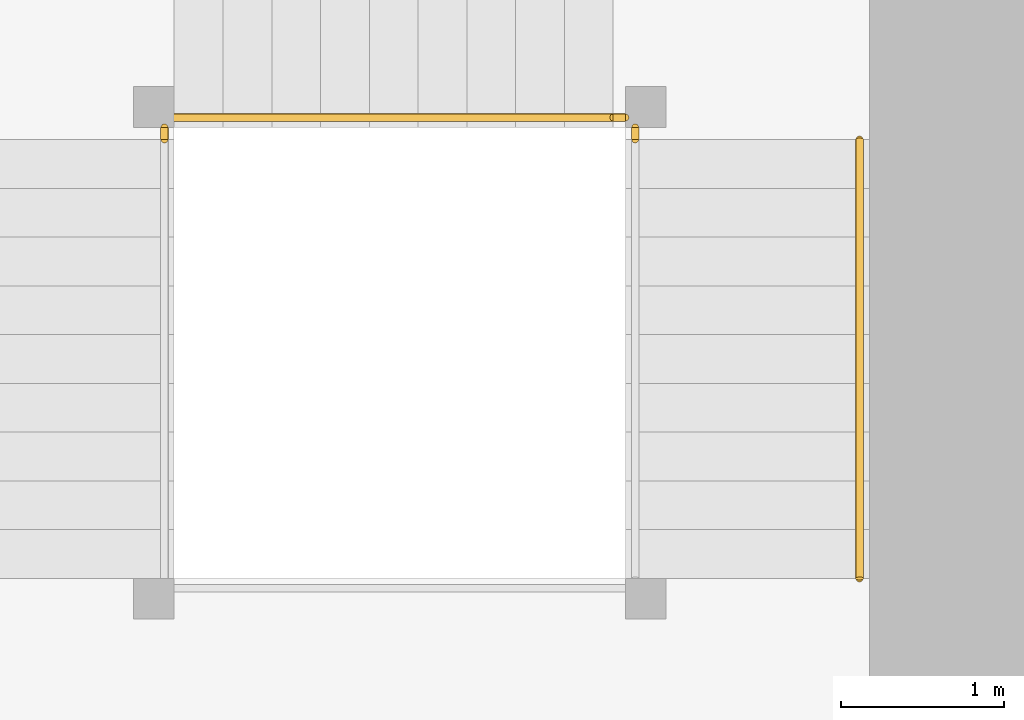
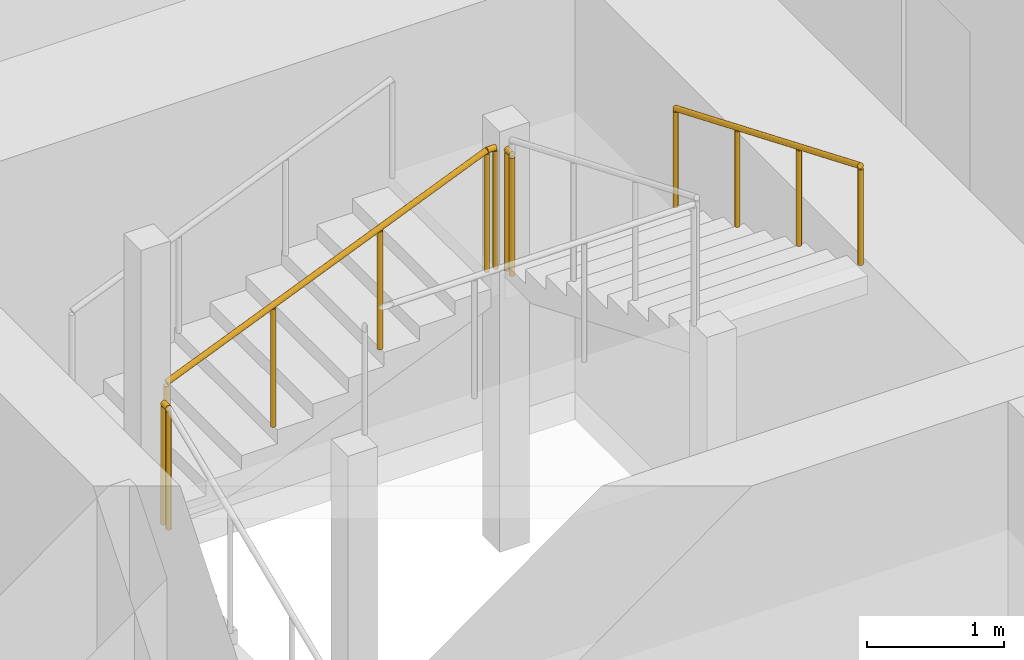
# One storey, part 41 of 42: 5 railings.
"""IFC4 building model written with IfcOpenShell, lengths in metres."""

from ifc_helpers import new_model, si_unit, direction, frame, origin, origin_2d, place, context, subcontext, project, spatial, circle, extrude, material, type_object, element, save


model = new_model("IFC4")

# Units and contexts
model_context = context("Model", 3, precision=1e-05, world=origin(), true_north=direction((0.0, 1.0)))
body_context = subcontext(model_context, "Body", "Model", "MODEL_VIEW")
ifc_project = project(units=[si_unit("LENGTHUNIT", "METRE"), si_unit("AREAUNIT", "SQUARE_METRE"), si_unit("VOLUMEUNIT", "CUBIC_METRE"), si_unit("PLANEANGLEUNIT", "RADIAN"), si_unit("MASSUNIT", "GRAM", prefix="KILO")], contexts=[model_context])

# Site, building, storey
site_placement = place(None, origin())
site = spatial("IfcSite", under=ifc_project, at=site_placement, CompositionType="ELEMENT")
building_placement = place(site_placement, origin())
building = spatial("IfcBuilding", under=site, at=building_placement, Name="Rekha Terrace Tower", CompositionType="ELEMENT")
storey_placement = place(building_placement, frame((0.0, 0.0, 40.39990234375)))
storey = spatial("IfcBuildingStorey", under=building, at=storey_placement, Name="L09", CompositionType="ELEMENT", Elevation=40.39990234375)

# Railings
ifc_material_1 = material(Name="Stainless steel balustrade", Category="steel")
railing_type_1 = type_object("IfcRailingType", Name="GR1 1100 stair guard", PredefinedType="GUARDRAIL", material=ifc_material_1)
railing_1_placement = place(storey_placement, frame((45.574951171875, 44.2099609375, 1.375)))
element("IfcRailing", 1, at=railing_1_placement, inside=storey, type_object=railing_type_1, Name="Guard ST2 L09 flight 2", PredefinedType="GUARDRAIL", context=body_context, shape_type="SweptSolid", body=[
    extrude(circle(Radius=0.02392578125, at=origin_2d()), frame((0.0, 0.0, 1.076171875), z_axis=(0.923074453586, 0.0, 0.384621311341), x_axis=(0.0, 1.0, 0.0)), (0.0, 0.0, 1.0), 2.925048828125),
    extrude(circle(Radius=0.02099609375, at=origin_2d()), origin(), (0.0, 0.0, 1.0), 1.052001953125),
    extrude(circle(Radius=0.02099609375, at=origin_2d()), frame((0.89990234375, 0.0, 0.375)), (0.0, 0.0, 1.0), 1.052001953125),
    extrude(circle(Radius=0.02099609375, at=origin_2d()), frame((1.800048828125, 0.0, 0.75)), (0.0, 0.0, 1.0), 1.052001953125),
    extrude(circle(Radius=0.02099609375, at=origin_2d()), frame((2.699951171875, 0.0, 1.125)), (0.0, 0.0, 1.0), 1.052001953125),
])
railing_2_placement = place(storey_placement, frame((45.514892578125, 44.074951171875, 1.25)))
element("IfcRailing", 2, at=railing_2_placement, inside=storey, type_object=railing_type_1, Name="Guard ST2 L09 landing 1", PredefinedType="GUARDRAIL", context=body_context, shape_type="SweptSolid", body=[
    extrude(circle(Radius=0.02392578125, at=origin_2d()), frame((0.0, 0.0, 1.076171875), z_axis=(0.0, 1.0, 0.0), x_axis=(-1.0, 0.0, 0.0)), (0.0, 0.0, 1.0), 0.074951171875),
    extrude(circle(Radius=0.02099609375, at=origin_2d()), origin(), (0.0, 0.0, 1.0), 1.052001953125),
    extrude(circle(Radius=0.02099609375, at=origin_2d()), frame((0.0, 0.074951171875, 0.0)), (0.0, 0.0, 1.0), 1.052001953125),
])
railing_3_placement = place(storey_placement, frame((48.27490234375, 44.2099609375, 2.5)))
element("IfcRailing", 3, at=railing_3_placement, inside=storey, type_object=railing_type_1, Name="Guard ST2 L09 landing 2", PredefinedType="GUARDRAIL", context=body_context, shape_type="SweptSolid", body=[
    extrude(circle(Radius=0.02392578125, at=origin_2d()), frame((0.0, 0.0, 1.076171875), z_axis=(1.0, 0.0, 0.0), x_axis=(0.0, 1.0, 0.0)), (0.0, 0.0, 1.0), 0.0751953125),
    extrude(circle(Radius=0.02099609375, at=origin_2d()), origin(), (0.0, 0.0, 1.0), 1.052001953125),
    extrude(circle(Radius=0.02099609375, at=origin_2d()), frame((0.0751953125, 0.0, 0.0)), (0.0, 0.0, 1.0), 1.052001953125),
])
railing_4_placement = place(storey_placement, frame((48.409912109375, 44.074951171875, 2.5)))
element("IfcRailing", 4, at=railing_4_placement, inside=storey, type_object=railing_type_1, Name="Guard ST2 L09 landing 3", PredefinedType="GUARDRAIL", context=body_context, shape_type="SweptSolid", body=[
    extrude(circle(Radius=0.02392578125, at=origin_2d()), frame((0.0, 0.0, 1.076171875), z_axis=(0.0, 1.0, 0.0), x_axis=(-1.0, 0.0, 0.0)), (0.0, 0.0, 1.0), 0.074951171875),
    extrude(circle(Radius=0.02099609375, at=origin_2d()), origin(), (0.0, 0.0, 1.0), 1.052001953125),
    extrude(circle(Radius=0.02099609375, at=origin_2d()), frame((0.0, 0.074951171875, 0.0)), (0.0, 0.0, 1.0), 1.052001953125),
])
ifc_material_2 = material(Name="Stainless steel tube", Category="steel")
railing_type_2 = type_object("IfcRailingType", Name="HR1 900 stair handrail", PredefinedType="HANDRAIL", material=ifc_material_2)
railing_5_placement = place(storey_placement, frame((49.7900390625, 44.074951171875, 2.625)))
element("IfcRailing", 5, at=railing_5_placement, inside=storey, type_object=railing_type_2, Name="Handrail ST2 L09 flight 3", PredefinedType="HANDRAIL", context=body_context, shape_type="SweptSolid", body=[
    extrude(circle(Radius=0.02392578125, at=origin_2d()), frame((0.0, 0.0, 0.8759765625), z_axis=(0.0, -0.923074453586, 0.384621311341), x_axis=(1.0, 0.0, 0.0)), (0.0, 0.0, 1.0), 2.925048828125),
    extrude(circle(Radius=0.02099609375, at=origin_2d()), origin(), (0.0, 0.0, 1.0), 0.851806640625),
    extrude(circle(Radius=0.02099609375, at=origin_2d()), frame((0.0, -0.89990234375, 0.375)), (0.0, 0.0, 1.0), 0.851806640625),
    extrude(circle(Radius=0.02099609375, at=origin_2d()), frame((0.0, -1.800048828125, 0.75)), (0.0, 0.0, 1.0), 0.851806640625),
    extrude(circle(Radius=0.02099609375, at=origin_2d()), frame((0.0, -2.699951171875, 1.125)), (0.0, 0.0, 1.0), 0.851806640625),
])

save(model, "model.ifc")
